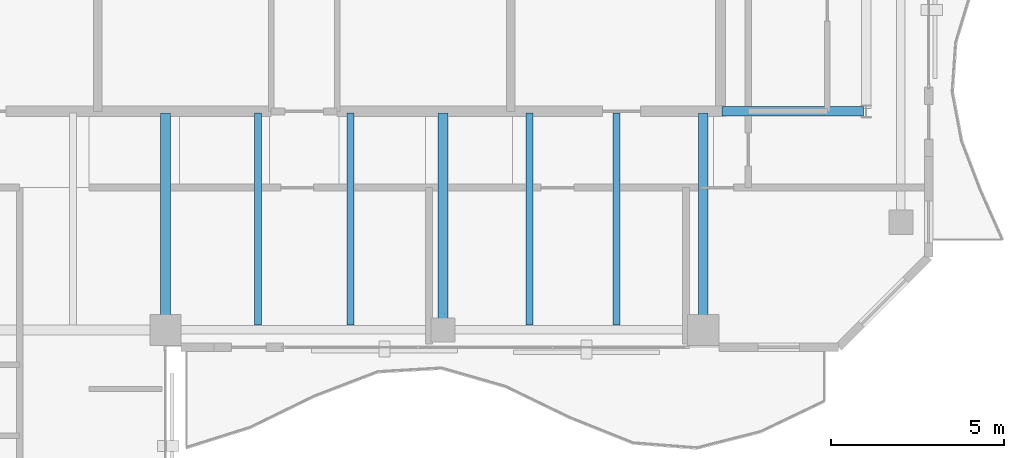
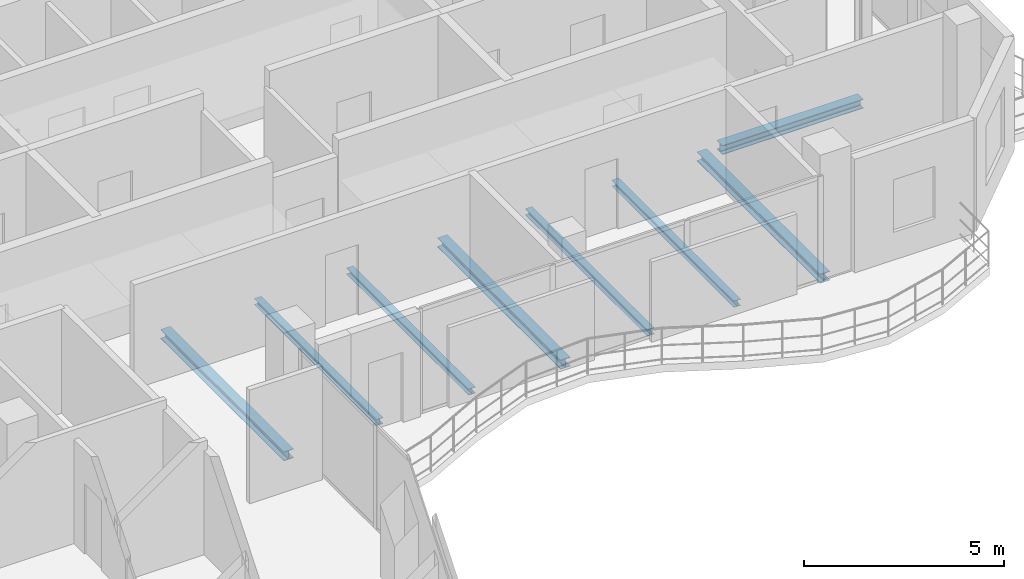
# One storey, part 9 of 16: 8 beams.
"""IFC4 building model written with IfcOpenShell, lengths in metres."""

from ifc_helpers import new_model, si_unit, direction, frame, origin, origin_2d, place, context, subcontext, project, spatial, i_section, extrude, material, material_profile, profile_set, type_object, element, save


model = new_model("IFC4")

# Units and contexts
model_context = context("Model", 3, precision=1e-05, world=origin(), true_north=direction((0.0, 1.0)))
body_context = subcontext(model_context, "Body", "Model", "MODEL_VIEW")
ifc_project = project(units=[si_unit("LENGTHUNIT", "METRE"), si_unit("AREAUNIT", "SQUARE_METRE"), si_unit("VOLUMEUNIT", "CUBIC_METRE"), si_unit("PLANEANGLEUNIT", "RADIAN"), si_unit("MASSUNIT", "GRAM", prefix="KILO")], contexts=[model_context])

# Site, building, storey
site_placement = place(None, origin())
site = spatial("IfcSite", under=ifc_project, at=site_placement, CompositionType="ELEMENT")
building_placement = place(site_placement, origin())
building = spatial("IfcBuilding", under=site, at=building_placement, Name="Catumbela Crestline Tower", CompositionType="ELEMENT")
storey_placement = place(building_placement, frame((0.0, 0.0, 286.8)))
storey = spatial("IfcBuildingStorey", under=building, at=storey_placement, Name="L74", CompositionType="ELEMENT", Elevation=286.8)

# Beams
ifc_material = material(Name="Structural steel S355J2", Category="steel")
ifc_material_profile_1 = material_profile(ifc_material, i_section(OverallWidth=0.28, OverallDepth=0.28, WebThickness=0.0105, FlangeThickness=0.018, FilletRadius=0.024, at=origin_2d()), Name="HEB 280")
ifc_profile_set_1 = profile_set([ifc_material_profile_1], Name="Structural steel S355J2")
beam_type_1 = type_object("IfcBeamType", Name="BG-HEB280", PredefinedType="BEAM", material=ifc_profile_set_1)
beam_placement = place(storey_placement, frame((40.05, 30.8, -0.4), z_axis=(1.0, 0.0, 0.0), x_axis=(0.0, 1.0, 0.0)))
element("IfcBeam", 1, at=beam_placement, inside=storey, type_object=beam_type_1, Name="L74 Beam BM-L74-M04", PredefinedType="BEAM", context=body_context, shape_type="SweptSolid", body=[
    extrude(i_section(OverallWidth=0.28, OverallDepth=0.28, WebThickness=0.0105, FlangeThickness=0.018, FilletRadius=0.024, at=origin_2d()), origin(), (0.0, 0.0, 1.0), 4.07),
])
for number, where, z_axis, x_axis, name in (
    (2, (24.0, 24.58, -0.4), (0.0, 1.0, 0.0), (-1.0, 0.0, 0.0), "L74 Beam BM-L74-SNS07"),
    (3, (32.0, 24.58, -0.4), (0.0, 1.0, 0.0), (-1.0, 0.0, 0.0), "L74 Beam BM-L74-SNS08"),
    (4, (39.5, 24.58, -0.4), (0.0, 1.0, 0.0), (-1.0, 0.0, 0.0), "L74 Beam BM-L74-SNS09"),
):
    element("IfcBeam", number, at=place(storey_placement, frame(where, z_axis=z_axis, x_axis=x_axis)), inside=storey, type_object=beam_type_1, Name=name, PredefinedType="BEAM", context=body_context, shape_type="SweptSolid", body=[
        extrude(i_section(OverallWidth=0.28, OverallDepth=0.28, WebThickness=0.0105, FlangeThickness=0.018, FilletRadius=0.024, at=origin_2d()), origin(), (0.0, 0.0, 1.0), 6.17),
    ])
ifc_material_profile_2 = material_profile(ifc_material, i_section(OverallWidth=0.2, OverallDepth=0.19, WebThickness=0.0065, FlangeThickness=0.01, FilletRadius=0.018, at=origin_2d()), Name="HEA 200")
ifc_profile_set_2 = profile_set([ifc_material_profile_2], Name="Structural steel S355J2")
beam_type_2 = type_object("IfcBeamType", Name="BJ-HEA200", PredefinedType="JOIST", material=ifc_profile_set_2)
for number, where, z_axis, x_axis, name in (
    (5, (26.667, 24.637, -0.355), (0.0, 1.0, 0.0), (-1.0, 0.0, 0.0), "L74 Joist JS-L74-SP14"),
    (6, (29.333, 24.637, -0.355), (0.0, 1.0, 0.0), (-1.0, 0.0, 0.0), "L74 Joist JS-L74-SP15"),
    (7, (34.5, 24.637, -0.355), (0.0, 1.0, 0.0), (-1.0, 0.0, 0.0), "L74 Joist JS-L74-SP16"),
    (8, (37.0, 24.637, -0.355), (0.0, 1.0, 0.0), (-1.0, 0.0, 0.0), "L74 Joist JS-L74-SP17"),
):
    element("IfcBeam", number, at=place(storey_placement, frame(where, z_axis=z_axis, x_axis=x_axis)), inside=storey, type_object=beam_type_2, Name=name, PredefinedType="JOIST", context=body_context, shape_type="SweptSolid", body=[
        extrude(i_section(OverallWidth=0.2, OverallDepth=0.19, WebThickness=0.0065, FlangeThickness=0.01, FilletRadius=0.018, at=origin_2d()), origin(), (0.0, 0.0, 1.0), 6.113),
    ])

save(model, "model.ifc")
